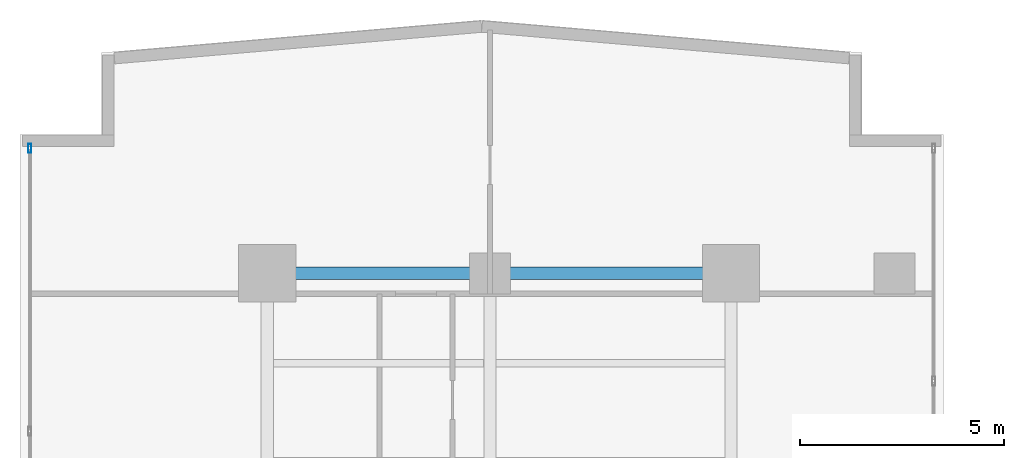
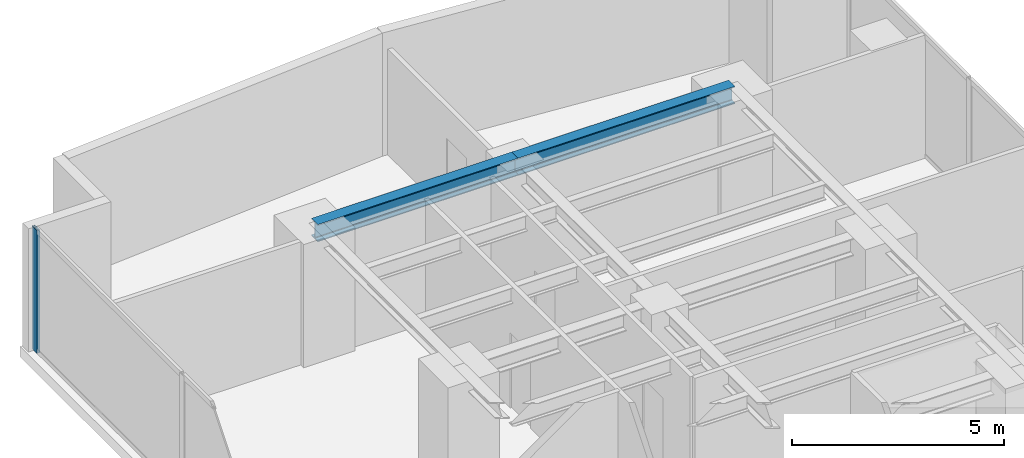
# One storey, part 16 of 26: 2 beams, 1 member, 1 element without a shape of its own.
"""IFC4 building model written with IfcOpenShell, lengths in metres."""

from ifc_helpers import new_model, si_unit, direction, frame, origin, origin_with_axes, origin_2d, place, context, subcontext, project, spatial, hollow_rectangle, i_section, extrude, source, transform, mapped, material, layer, layer_set, material_profile, profile_set, type_object, element, aggregate, save


model = new_model("IFC4")

# Units and contexts
model_context = context("Model", 3, precision=1e-05, world=origin(), true_north=direction((0.0, 1.0)))
body_context = subcontext(model_context, "Body", "Model", "MODEL_VIEW")
ifc_project = project(units=[si_unit("LENGTHUNIT", "METRE"), si_unit("AREAUNIT", "SQUARE_METRE"), si_unit("VOLUMEUNIT", "CUBIC_METRE"), si_unit("PLANEANGLEUNIT", "RADIAN"), si_unit("MASSUNIT", "GRAM", prefix="KILO")], contexts=[model_context])

# Site, building, storey
site_placement = place(None, origin())
site = spatial("IfcSite", under=ifc_project, at=site_placement, CompositionType="ELEMENT")
building_placement = place(site_placement, origin())
building = spatial("IfcBuilding", under=site, at=building_placement, Name="Kolvaren Waterfront Exchange", CompositionType="ELEMENT")
storey_placement = place(building_placement, frame((0.0, 0.0, 110.699951171875)))
storey = spatial("IfcBuildingStorey", under=building, at=storey_placement, Name="L28", CompositionType="ELEMENT", Elevation=110.699951171875)

# Beams
ifc_material_1 = material(Name="Steel S355", Category="steel")
ifc_material_profile_1 = material_profile(ifc_material_1, i_section(OverallWidth=0.300048828125, OverallDepth=0.5, WebThickness=0.014404296875, FlangeThickness=0.028076171875, FilletRadius=0.027099609375, at=origin_2d()), Name="HEB500")
ifc_profile_set_1 = profile_set([ifc_material_profile_1], Name="Steel S355")
beam_type = type_object("IfcBeamType", Name="STR-BM-HEB500", PredefinedType="BEAM", material=ifc_profile_set_1)
beam_1_placement = place(storey_placement, frame((7.449951171875, 44.60009765625, 3.2900390625), z_axis=(1.0, 0.0, 0.0), x_axis=(0.0, 1.0, 0.0)))
element("IfcBeam", 1, at=beam_1_placement, inside=storey, type_object=beam_type, Name="L28 north-arm girder 4A", PredefinedType="BEAM", context=body_context, shape_type="SweptSolid", body=[
    extrude(i_section(OverallWidth=0.300048828125, OverallDepth=0.5, WebThickness=0.014404296875, FlangeThickness=0.028076171875, FilletRadius=0.027099609375, at=origin_2d()), origin(), (0.0, 0.0, 1.0), 5.449951171875),
])
beam_2_placement = place(storey_placement, frame((12.89990234375, 44.60009765625, 3.2900390625), z_axis=(1.0, 0.0, 0.0), x_axis=(0.0, 1.0, 0.0)))
element("IfcBeam", 2, at=beam_2_placement, inside=storey, type_object=beam_type, Name="L28 north-arm girder 4B", PredefinedType="BEAM", context=body_context, shape_type="SweptSolid", body=[
    extrude(i_section(OverallWidth=0.300048828125, OverallDepth=0.5, WebThickness=0.014404296875, FlangeThickness=0.028076171875, FilletRadius=0.027099609375, at=origin_2d()), origin(), (0.0, 0.0, 1.0), 5.900146484375),
])

# Curtain wall, member
ifc_material_2 = material(Name="Anodised aluminium 6063-T6", Category="aluminium")
ifc_layer = layer(ifc_material_2, 0.219970703125, Name="Anodised aluminium 6063-T6")
ifc_layer_set = layer_set([ifc_layer], Name="Anodised aluminium 6063-T6")
curtain_wall_type = type_object("IfcCurtainWallType", Name="ARC-CW-SYS2", PredefinedType="USERDEFINED", material=ifc_layer_set)
curtain_wall_placement = place(storey_placement, origin())
curtain_wall = element("IfcCurtainWall", 3, at=curtain_wall_placement, inside=storey, type_object=curtain_wall_type, Name="L28 stick curtain wall CW2 (CW-L28-W)", ObjectType="STICK CURTAIN WALL", PredefinedType="USERDEFINED")
ifc_material_profile_2 = material_profile(ifc_material_2, hollow_rectangle(XDim=0.080078125, YDim=0.219970703125, WallThickness=0.0048828125, at=origin_2d()), Name="ALU-MUL-220x80x5")
ifc_profile_set_2 = profile_set([ifc_material_profile_2], Name="Anodised aluminium 6063-T6")
member_type = type_object("IfcMemberType", Name="ARC-CWM-220", PredefinedType="MULLION", material=ifc_profile_set_2)
shared_shape = source(origin_with_axes(), body_context, "Body", "SweptSolid", [
    extrude(hollow_rectangle(XDim=0.080078125, YDim=0.219970703125, WallThickness=0.0048828125, at=origin_2d()), origin(), (0.0, 0.0, 1.0), 3.5400390625),
])
member_placement = place(storey_placement, frame((1.639892578125, 47.659912109375, 0.0), z_axis=(0.0, 0.0, 1.0), x_axis=(-1.0, 0.0, 0.0)))
member = element("IfcMember", 4, at=member_placement, type_object=member_type, Name="CW2 mullion 7", PredefinedType="MULLION", context=body_context, shape_type="MappedRepresentation", body=[
    mapped(shared_shape, transform((0.0, 0.0, 0.0), x_axis=(1.0, 0.0, 0.0), y_axis=(0.0, 1.0, 0.0), z_axis=(0.0, 0.0, 1.0), scale=1.0)),
])
aggregate(curtain_wall, [member])

save(model, "model.ifc")
